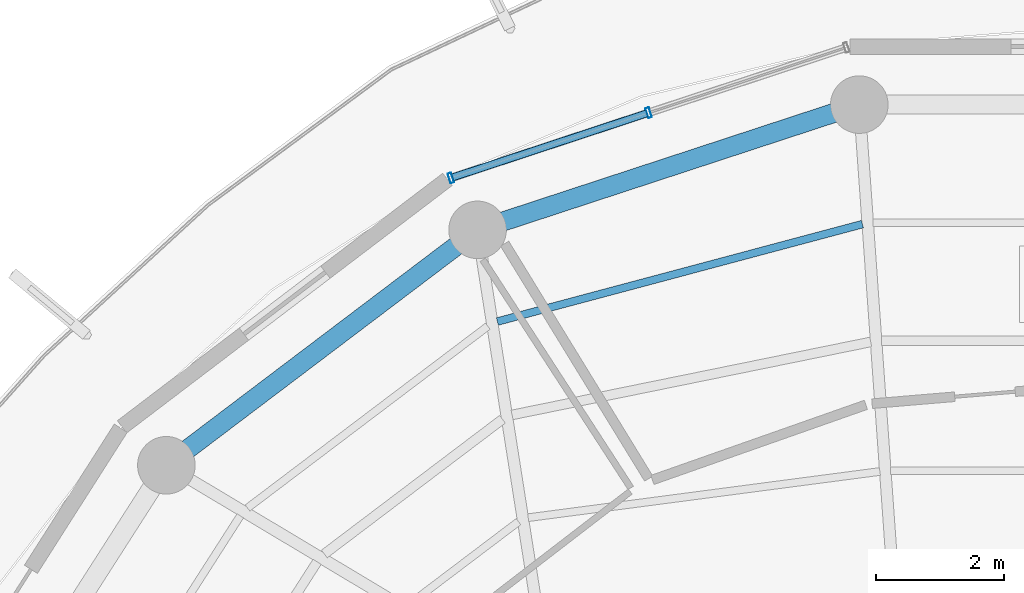
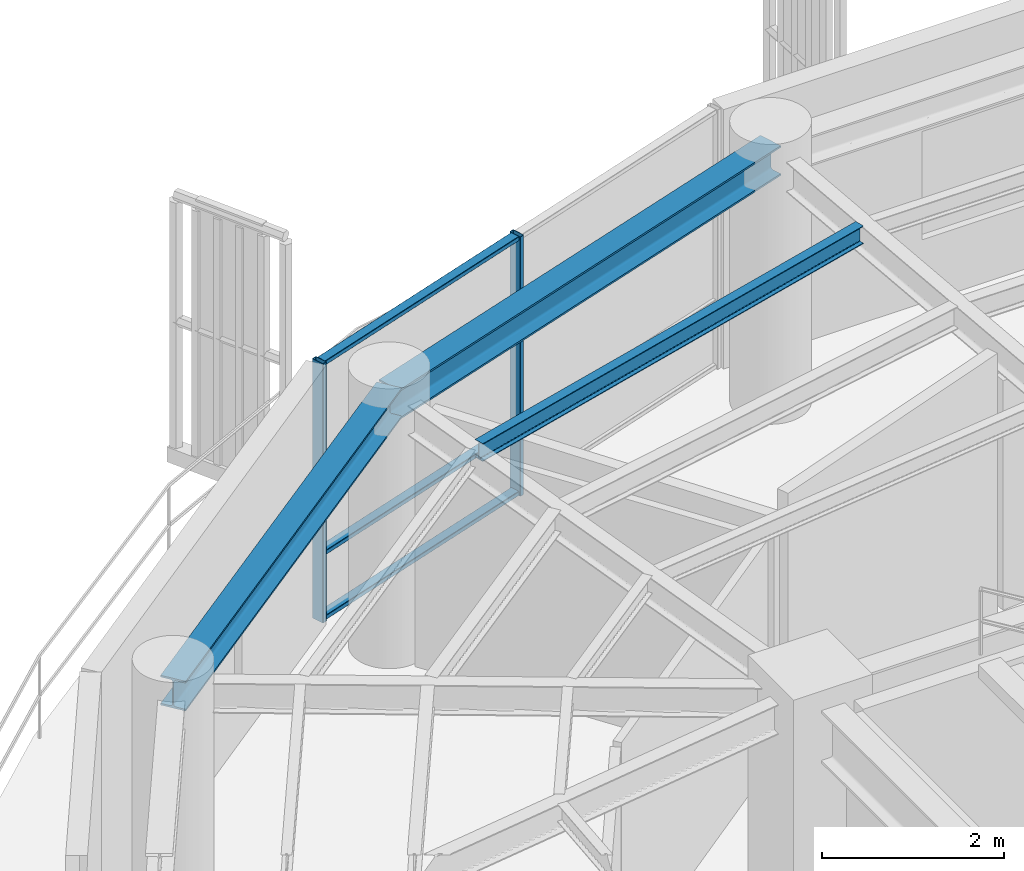
# One storey, part 11 of 22: 5 members, 3 beams, 1 element without a shape of its own.
"""IFC4 building model written with IfcOpenShell, lengths in metres."""

from ifc_helpers import new_model, si_unit, direction, frame, origin, origin_2d, place, context, subcontext, project, spatial, hollow_rectangle, i_section, extrude, material, layer, layer_set, material_profile, profile_set, type_object, element, aggregate, save


model = new_model("IFC4")

# Units and contexts
model_context = context("Model", 3, precision=1e-05, world=origin(), true_north=direction((0.0, 1.0)))
body_context = subcontext(model_context, "Body", "Model", "MODEL_VIEW")
ifc_project = project(units=[si_unit("LENGTHUNIT", "METRE"), si_unit("AREAUNIT", "SQUARE_METRE"), si_unit("VOLUMEUNIT", "CUBIC_METRE"), si_unit("PLANEANGLEUNIT", "RADIAN"), si_unit("MASSUNIT", "GRAM", prefix="KILO")], contexts=[model_context])

# Site, building, storey
site_placement = place(None, origin())
site = spatial("IfcSite", under=ifc_project, at=site_placement, CompositionType="ELEMENT")
building_placement = place(site_placement, origin())
building = spatial("IfcBuilding", under=site, at=building_placement, Name="Kelanora Arch Commons", CompositionType="ELEMENT")
storey_placement = place(building_placement, frame((0.0, 0.0, 263.699951171875)))
storey = spatial("IfcBuildingStorey", under=building, at=storey_placement, Name="L67", CompositionType="ELEMENT", Elevation=263.699951171875)

# Beams
ifc_material_1 = material(Name="Steel S355", Category="steel")
ifc_material_profile_1 = material_profile(ifc_material_1, i_section(OverallWidth=0.1201171875, OverallDepth=0.239990234375, WebThickness=0.006103515625, FlangeThickness=0.009765625, FilletRadius=0.014892578125, at=origin_2d()), Name="IPE240")
ifc_profile_set_1 = profile_set([ifc_material_profile_1], Name="Steel S355")
beam_type_1 = type_object("IfcBeamType", Name="BM-JST-02", PredefinedType="JOIST", material=ifc_profile_set_1)
beam_1_placement = place(storey_placement, frame((70.87451171875, 72.36181640625, 3.3701171875), z_axis=(-0.966190312964, -0.257829942278, 0.0), x_axis=(0.257829942278, -0.966190312964, 0.0)))
element("IfcBeam", 1, at=beam_1_placement, inside=storey, type_object=beam_type_1, Name="Secondary Chord Joist BJC-10 L67", PredefinedType="JOIST", context=body_context, shape_type="SweptSolid", body=[
    extrude(i_section(OverallWidth=0.1201171875, OverallDepth=0.239990234375, WebThickness=0.006103515625, FlangeThickness=0.009765625, FilletRadius=0.014892578125, at=origin_2d()), origin(), (0.0, 0.0, 1.0), 5.904052734375),
])
ifc_material_profile_2 = material_profile(ifc_material_1, i_section(OverallWidth=0.300048828125, OverallDepth=0.39990234375, WebThickness=0.013427734375, FlangeThickness=0.02392578125, FilletRadius=0.027099609375, at=origin_2d()), Name="HEB400")
ifc_profile_set_2 = profile_set([ifc_material_profile_2], Name="Steel S355")
beam_type_2 = type_object("IfcBeamType", Name="BM-SPN-Z4", PredefinedType="SPANDREL", material=ifc_profile_set_2)
beam_2_placement = place(storey_placement, frame((70.82568359375, 74.2294921875, 3.2900390625), z_axis=(-0.950165923039, -0.311744636996, 0.0), x_axis=(0.311744636996, -0.950165923039, 0.0)))
element("IfcBeam", 2, at=beam_2_placement, inside=storey, type_object=beam_type_2, Name="Perimeter Spandrel Beam BS-10 L67", PredefinedType="SPANDREL", context=body_context, shape_type="SweptSolid", body=[
    extrude(i_section(OverallWidth=0.300048828125, OverallDepth=0.39990234375, WebThickness=0.013427734375, FlangeThickness=0.02392578125, FilletRadius=0.027099609375, at=origin_2d()), origin(), (0.0, 0.0, 1.0), 6.278564453125),
])
beam_3_placement = place(storey_placement, frame((64.860107421875, 72.272216796875, 3.2900390625), z_axis=(-0.797509460967, -0.603306439273, 0.0), x_axis=(0.603306439273, -0.797509460967, 0.0)))
element("IfcBeam", 3, at=beam_3_placement, inside=storey, type_object=beam_type_2, Name="Perimeter Spandrel Beam BS-12 L67", PredefinedType="SPANDREL", context=body_context, shape_type="SweptSolid", body=[
    extrude(i_section(OverallWidth=0.300048828125, OverallDepth=0.39990234375, WebThickness=0.013427734375, FlangeThickness=0.02392578125, FilletRadius=0.027099609375, at=origin_2d()), origin(), (0.0, 0.0, 1.0), 6.098388671875),
])

# Curtain wall, members
ifc_material_2 = material(Name="Terracotta ceramic-fritted low-E glass and aluminium", Category="masonry")
ifc_layer = layer(ifc_material_2, 0.18994140625)
ifc_layer_set = layer_set([ifc_layer], Name="Terracotta ceramic-fritted low-E glass and aluminium")
curtain_wall_type = type_object("IfcCurtainWallType", Name="CW-SYS-03", PredefinedType="NOTDEFINED", material=ifc_layer_set)
curtain_wall_placement = place(storey_placement, origin())
curtain_wall = element("IfcCurtainWall", 4, at=curtain_wall_placement, inside=storey, type_object=curtain_wall_type, Name="Unitised Curtain Wall L67-B05", PredefinedType="NOTDEFINED")
ifc_material_3 = material(Name="Powder-coated aluminium terracotta", Category="masonry")
ifc_material_profile_3 = material_profile(ifc_material_3, hollow_rectangle(XDim=0.159912109375, YDim=0.06005859375, WallThickness=0.0048828125, InnerFilletRadius=0.0048828125, OuterFilletRadius=0.010009765625, at=origin_2d()), Name="CWM160x60")
ifc_profile_set_3 = profile_set([ifc_material_profile_3], Name="Powder-coated aluminium terracotta")
member_type_1 = type_object("IfcMemberType", Name="CWM-STD", PredefinedType="MULLION", material=ifc_profile_set_3)
member_1_placement = place(storey_placement, frame((67.532958984375, 74.102294921875, 0.0), z_axis=(0.0, 0.0, 1.0), x_axis=(0.313252785344, -0.949669780752, 0.0)))
member_1 = element("IfcMember", 5, at=member_1_placement, type_object=member_type_1, Name="CW-03 mullion 2", PredefinedType="MULLION", context=body_context, shape_type="SweptSolid", body=[
    extrude(hollow_rectangle(XDim=0.159912109375, YDim=0.06005859375, WallThickness=0.0048828125, InnerFilletRadius=0.0048828125, OuterFilletRadius=0.010009765625, at=origin_2d()), origin(), (0.0, 0.0, 1.0), 3.47509765625),
])
member_2_placement = place(storey_placement, frame((64.442626953125, 73.0830078125, 0.0), z_axis=(0.0, 0.0, 1.0), x_axis=(0.313252785344, -0.949669780752, 0.0)))
member_2 = element("IfcMember", 6, at=member_2_placement, type_object=member_type_1, Name="CW-03 mullion 3", PredefinedType="MULLION", context=body_context, shape_type="SweptSolid", body=[
    extrude(hollow_rectangle(XDim=0.159912109375, YDim=0.06005859375, WallThickness=0.0048828125, InnerFilletRadius=0.0048828125, OuterFilletRadius=0.010009765625, at=origin_2d()), origin(), (0.0, 0.0, 1.0), 3.47509765625),
])
ifc_material_profile_4 = material_profile(ifc_material_3, hollow_rectangle(XDim=0.1201171875, YDim=0.06005859375, WallThickness=0.0048828125, InnerFilletRadius=0.0048828125, OuterFilletRadius=0.010009765625, at=origin_2d()), Name="CWT120x60")
ifc_profile_set_4 = profile_set([ifc_material_profile_4], Name="Powder-coated aluminium terracotta")
member_type_2 = type_object("IfcMemberType", Name="CWT-STD", PredefinedType="USERDEFINED", material=ifc_profile_set_4)
member_3_placement = place(storey_placement, frame((67.50439453125, 74.0927734375, 0.030029296875), z_axis=(-0.949672315102, -0.313245102003, 0.0), x_axis=(0.313245102003, -0.949672315102, 0.0)))
member_3 = element("IfcMember", 7, at=member_3_placement, type_object=member_type_2, Name="CW-03 transom 2.1", ObjectType="TRANSOM", PredefinedType="USERDEFINED", context=body_context, shape_type="SweptSolid", body=[
    extrude(hollow_rectangle(XDim=0.1201171875, YDim=0.06005859375, WallThickness=0.0048828125, InnerFilletRadius=0.0048828125, OuterFilletRadius=0.010009765625, at=origin_2d()), origin(), (0.0, 0.0, 1.0), 3.19384765625),
])
member_4_placement = place(storey_placement, frame((67.50439453125, 74.0927734375, 0.900146484375), z_axis=(-0.949672315102, -0.313245102003, 0.0), x_axis=(0.313245102003, -0.949672315102, 0.0)))
member_4 = element("IfcMember", 8, at=member_4_placement, type_object=member_type_2, Name="CW-03 transom 2.2", ObjectType="TRANSOM", PredefinedType="USERDEFINED", context=body_context, shape_type="SweptSolid", body=[
    extrude(hollow_rectangle(XDim=0.1201171875, YDim=0.06005859375, WallThickness=0.0048828125, InnerFilletRadius=0.0048828125, OuterFilletRadius=0.010009765625, at=origin_2d()), origin(), (0.0, 0.0, 1.0), 3.19384765625),
])
member_5_placement = place(storey_placement, frame((67.50439453125, 74.0927734375, 3.445068359375), z_axis=(-0.949672315102, -0.313245102003, 0.0), x_axis=(0.313245102003, -0.949672315102, 0.0)))
member_5 = element("IfcMember", 9, at=member_5_placement, type_object=member_type_2, Name="CW-03 transom 2.3", ObjectType="TRANSOM", PredefinedType="USERDEFINED", context=body_context, shape_type="SweptSolid", body=[
    extrude(hollow_rectangle(XDim=0.1201171875, YDim=0.06005859375, WallThickness=0.0048828125, InnerFilletRadius=0.0048828125, OuterFilletRadius=0.010009765625, at=origin_2d()), origin(), (0.0, 0.0, 1.0), 3.19384765625),
])
aggregate(curtain_wall, [member_1, member_2, member_3, member_4, member_5])

save(model, "model.ifc")
